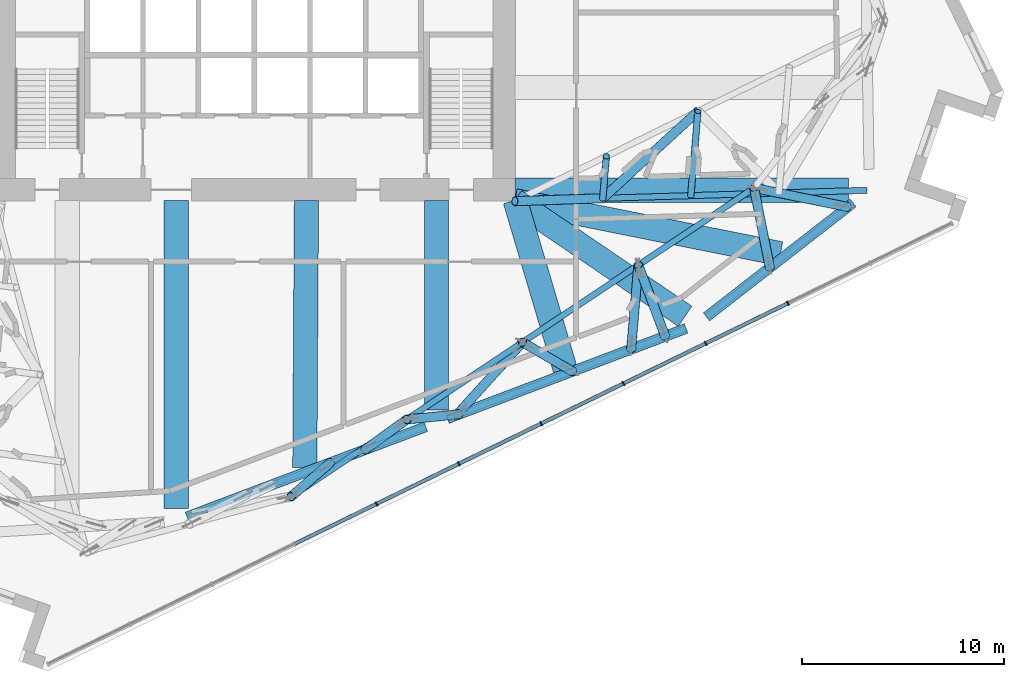
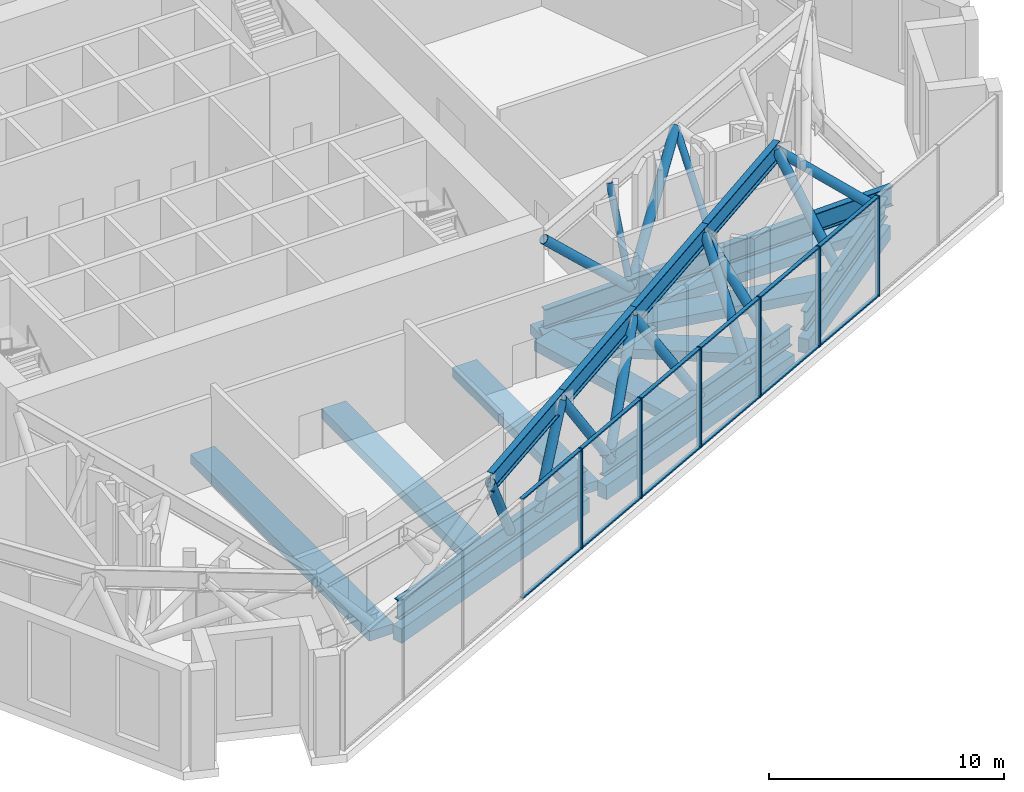
# One storey, part 2 of 21: 31 members, 18 beams, 1 element without a shape of its own.
"""IFC4 building model written with IfcOpenShell, lengths in metres."""

from ifc_helpers import new_model, si_unit, direction, frame, origin, origin_2d, place, context, subcontext, project, spatial, rectangle, hollow_circle, i_section, extrude, material, material_profile, profile_set, type_object, element, aggregate, save


model = new_model("IFC4")

# Units and contexts
model_context = context("Model", 3, precision=1e-05, world=origin(), true_north=direction((0.0, 1.0)))
body_context = subcontext(model_context, "Body", "Model", "MODEL_VIEW")
ifc_project = project(units=[si_unit("LENGTHUNIT", "METRE"), si_unit("AREAUNIT", "SQUARE_METRE"), si_unit("VOLUMEUNIT", "CUBIC_METRE"), si_unit("PLANEANGLEUNIT", "RADIAN"), si_unit("MASSUNIT", "GRAM", prefix="KILO")], contexts=[model_context])

# Site, building, storey
site_placement = place(None, origin())
site = spatial("IfcSite", under=ifc_project, at=site_placement, CompositionType="ELEMENT")
building_placement = place(site_placement, origin())
building = spatial("IfcBuilding", under=site, at=building_placement, Name="Dilmun Exchange Tower", CompositionType="ELEMENT")
storey_placement = place(building_placement, frame((0.0, 0.0, 130.10009765625)))
storey = spatial("IfcBuildingStorey", under=building, at=storey_placement, Name="L30", CompositionType="ELEMENT", Elevation=130.10009765625)

# Beams
ifc_material_1 = material(Name="Concrete C40/50", Category="concrete")
ifc_material_profile_1 = material_profile(ifc_material_1, rectangle(XDim=1.199951171875, YDim=0.5, at=origin_2d()), Name="1200 x 500")
ifc_profile_set_1 = profile_set([ifc_material_profile_1], Name="Concrete C40/50")
beam_type_1 = type_object("IfcBeamType", Name="RC band beam 1200 x 500 C40/50", PredefinedType="BEAM", material=ifc_profile_set_1)
beam_1_placement = place(storey_placement, frame((-3.85302734375, -28.099609375, -0.77001953125), z_axis=(0.0, 1.0, 0.0), x_axis=(-1.0, 0.0, 0.0)))
element("IfcBeam", 1, at=beam_1_placement, inside=storey, type_object=beam_type_1, Name="Band beam 10", PredefinedType="BEAM", context=body_context, shape_type="SweptSolid", body=[
    extrude(rectangle(XDim=1.199951171875, YDim=0.5, at=origin_2d()), origin(), (0.0, 0.0, 1.0), 15.2265625),
])
beam_2_placement = place(storey_placement, frame((9.010009765625, -23.240478515625, -0.77001953125), z_axis=(0.0, 1.0, 0.0), x_axis=(-1.0, 0.0, 0.0)))
element("IfcBeam", 2, at=beam_2_placement, inside=storey, type_object=beam_type_1, Name="Band beam 11", PredefinedType="BEAM", context=body_context, shape_type="SweptSolid", body=[
    extrude(rectangle(XDim=1.199951171875, YDim=0.5, at=origin_2d()), origin(), (0.0, 0.0, 1.0), 10.367431640625),
])
beam_3_placement = place(storey_placement, frame((21.28857421875, -18.59912109375, -0.77001953125), z_axis=(-0.827157308771, 0.561970449888, 0.0), x_axis=(-0.561970449888, -0.827157308771, 0.0)))
element("IfcBeam", 3, at=beam_3_placement, inside=storey, type_object=beam_type_1, Name="Band beam 12", PredefinedType="BEAM", context=body_context, shape_type="SweptSolid", body=[
    extrude(rectangle(XDim=1.199951171875, YDim=0.5, at=origin_2d()), origin(), (0.0, 0.0, 1.0), 10.16845703125),
])
beam_4_placement = place(storey_placement, frame((29.35205078125, -12.37109375, -0.77001953125), z_axis=(-1.0, 0.0, 0.0), x_axis=(0.0, -1.0, 0.0)))
element("IfcBeam", 4, at=beam_4_placement, inside=storey, type_object=beam_type_1, Name="Band beam 13", PredefinedType="BEAM", context=body_context, shape_type="SweptSolid", body=[
    extrude(rectangle(XDim=1.199951171875, YDim=0.5, at=origin_2d()), origin(), (0.0, 0.0, 1.0), 16.47900390625),
])
beam_5_placement = place(storey_placement, frame((2.499755859375, -26.075927734375, -0.670166015625), z_axis=(0.005972637047, 0.999982163644, 0.0), x_axis=(-0.999982163644, 0.005972637047, 0.0)))
element("IfcBeam", 5, at=beam_5_placement, inside=storey, type_object=beam_type_1, Name="Band beam 26", PredefinedType="BEAM", context=body_context, shape_type="SweptSolid", body=[
    extrude(rectangle(XDim=1.199951171875, YDim=0.5, at=origin_2d()), origin(), (0.0, 0.0, 1.0), 13.203125),
])
beam_6_placement = place(storey_placement, frame((15.36279296875, -21.216796875, -0.670166015625), z_axis=(-0.283932601838, 0.958844240538, 0.0), x_axis=(-0.958844240538, -0.283932601838, 0.0)))
element("IfcBeam", 6, at=beam_6_placement, inside=storey, type_object=beam_type_1, Name="Band beam 27", PredefinedType="BEAM", context=body_context, shape_type="SweptSolid", body=[
    extrude(rectangle(XDim=1.199951171875, YDim=0.5, at=origin_2d()), origin(), (0.0, 0.0, 1.0), 8.700927734375),
])
beam_7_placement = place(storey_placement, frame((25.99658203125, -15.50732421875, -0.670166015625), z_axis=(-0.980746640289, 0.19528447855, 0.0), x_axis=(-0.19528447855, -0.980746640289, 0.0)))
element("IfcBeam", 7, at=beam_7_placement, inside=storey, type_object=beam_type_1, Name="Band beam 28", PredefinedType="BEAM", context=body_context, shape_type="SweptSolid", body=[
    extrude(rectangle(XDim=1.199951171875, YDim=0.5, at=origin_2d()), origin(), (0.0, 0.0, 1.0), 13.380615234375),
])
ifc_material_profile_2 = material_profile(ifc_material_1, rectangle(XDim=0.5, YDim=0.75, at=origin_2d()), Name="500 x 750")
ifc_profile_set_2 = profile_set([ifc_material_profile_2], Name="Concrete C40/50")
beam_type_2 = type_object("IfcBeamType", Name="RC ring beam 500 x 750 C40/50", PredefinedType="SPANDREL", material=ifc_profile_set_2)
for number, where, z_axis, x_axis, name in (
    (8, (-3.31689453125, -28.511474609375, -0.795166015625), (0.935485896268, 0.353364030264, 0.0), (-0.353364030264, 0.935485896268, 0.0), "Ring beam 10"),
    (9, (9.5458984375, -23.652587890625, -0.795166015625), (0.935479493126, 0.353380981294, 0.0), (-0.353380981294, 0.935479493126, 0.0), "Ring beam 11"),
):
    element("IfcBeam", number, at=place(storey_placement, frame(where, z_axis=z_axis, x_axis=x_axis)), inside=storey, type_object=beam_type_2, Name=name, PredefinedType="SPANDREL", context=body_context, shape_type="SweptSolid", body=[
        extrude(rectangle(XDim=0.5, YDim=0.75, at=origin_2d()), origin(), (0.0, 0.0, 1.0), 12.604248046875),
    ])
beam_8_placement = place(storey_placement, frame((22.347412109375, -18.627197265625, -0.795166015625), z_axis=(0.789461122688, 0.613800566767, 0.0), x_axis=(-0.613800566767, 0.789461122688, 0.0)))
element("IfcBeam", 10, at=beam_8_placement, inside=storey, type_object=beam_type_2, Name="Ring beam 12", PredefinedType="SPANDREL", context=body_context, shape_type="SweptSolid", body=[
    extrude(rectangle(XDim=0.5, YDim=0.75, at=origin_2d()), origin(), (0.0, 0.0, 1.0), 9.1728515625),
])

# Curtain wall, members
ifc_material_2 = material(Name="Anodised aluminium and clear glass", Category="aluminium")
curtain_wall_type = type_object("IfcCurtainWallType", Name="Sky lobby glazing", PredefinedType="NOTDEFINED", material=ifc_material_2)
curtain_wall_placement = place(storey_placement, origin())
curtain_wall = element("IfcCurtainWall", 11, at=curtain_wall_placement, inside=storey, type_object=curtain_wall_type, Name="Sky lobby glazing run SL16", PredefinedType="NOTDEFINED")
ifc_material_3 = material(Name="Anodised aluminium", Category="aluminium")
ifc_material_profile_3 = material_profile(ifc_material_3, rectangle(XDim=0.219970703125, YDim=0.070068359375, at=origin_2d()), Name="AL 70x220")
ifc_profile_set_3 = profile_set([ifc_material_profile_3], Name="Anodised aluminium")
member_type_1 = type_object("IfcMemberType", Name="Sky lobby glazing mullion 70 x 220", PredefinedType="MULLION", material=ifc_profile_set_3)
member_1_placement = place(storey_placement, frame((6.045166015625, -27.87060546875, 0.0), z_axis=(0.0, 0.0, 1.0), x_axis=(-0.43837119956, 0.898794020561, 0.0)))
member_1 = element("IfcMember", 12, at=member_1_placement, type_object=member_type_1, Name="SL16 mullion 5", PredefinedType="MULLION", context=body_context, shape_type="SweptSolid", body=[
    extrude(rectangle(XDim=0.219970703125, YDim=0.070068359375, at=origin_2d()), origin(), (0.0, 0.0, 1.0), 5.199951171875),
])
member_2_placement = place(storey_placement, frame((10.1103515625, -25.887939453125, 0.0), z_axis=(0.0, 0.0, 1.0), x_axis=(-0.43837119956, 0.898794020561, 0.0)))
member_2 = element("IfcMember", 13, at=member_2_placement, type_object=member_type_1, Name="SL16 mullion 6", PredefinedType="MULLION", context=body_context, shape_type="SweptSolid", body=[
    extrude(rectangle(XDim=0.219970703125, YDim=0.070068359375, at=origin_2d()), origin(), (0.0, 0.0, 1.0), 5.199951171875),
])
member_3_placement = place(storey_placement, frame((14.17529296875, -23.9052734375, 0.0), z_axis=(0.0, 0.0, 1.0), x_axis=(-0.43837119956, 0.898794020561, 0.0)))
member_3 = element("IfcMember", 14, at=member_3_placement, type_object=member_type_1, Name="SL16 mullion 7", PredefinedType="MULLION", context=body_context, shape_type="SweptSolid", body=[
    extrude(rectangle(XDim=0.219970703125, YDim=0.070068359375, at=origin_2d()), origin(), (0.0, 0.0, 1.0), 5.199951171875),
])
member_4_placement = place(storey_placement, frame((18.240478515625, -21.922607421875, 0.0), z_axis=(0.0, 0.0, 1.0), x_axis=(-0.43837119956, 0.898794020561, 0.0)))
member_4 = element("IfcMember", 15, at=member_4_placement, type_object=member_type_1, Name="SL16 mullion 8", PredefinedType="MULLION", context=body_context, shape_type="SweptSolid", body=[
    extrude(rectangle(XDim=0.219970703125, YDim=0.070068359375, at=origin_2d()), origin(), (0.0, 0.0, 1.0), 5.199951171875),
])
member_5_placement = place(storey_placement, frame((22.3056640625, -19.93994140625, 0.0), z_axis=(0.0, 0.0, 1.0), x_axis=(-0.43837119956, 0.898794020561, 0.0)))
member_5 = element("IfcMember", 16, at=member_5_placement, type_object=member_type_1, Name="SL16 mullion 9", PredefinedType="MULLION", context=body_context, shape_type="SweptSolid", body=[
    extrude(rectangle(XDim=0.219970703125, YDim=0.070068359375, at=origin_2d()), origin(), (0.0, 0.0, 1.0), 5.199951171875),
])
member_6_placement = place(storey_placement, frame((26.370849609375, -17.957275390625, 0.0), z_axis=(0.0, 0.0, 1.0), x_axis=(-0.43837119956, 0.898794020561, 0.0)))
member_6 = element("IfcMember", 17, at=member_6_placement, type_object=member_type_1, Name="SL16 mullion 10", PredefinedType="MULLION", context=body_context, shape_type="SweptSolid", body=[
    extrude(rectangle(XDim=0.219970703125, YDim=0.070068359375, at=origin_2d()), origin(), (0.0, 0.0, 1.0), 5.199951171875),
])
ifc_material_profile_4 = material_profile(ifc_material_3, rectangle(XDim=0.179931640625, YDim=0.070068359375, at=origin_2d()), Name="AL 70x180")
ifc_profile_set_4 = profile_set([ifc_material_profile_4], Name="Anodised aluminium")
member_type_2 = type_object("IfcMemberType", Name="Sky lobby glazing transom 70 x 180", PredefinedType="USERDEFINED", material=ifc_profile_set_4)
member_7_placement = place(storey_placement, frame((2.011474609375, -29.837890625, 0.034912109375), z_axis=(0.898802694212, 0.438353415496, 0.0), x_axis=(-0.438353415496, 0.898802694212, 0.0)))
member_7 = element("IfcMember", 18, at=member_7_placement, type_object=member_type_2, Name="SL16 transom 4.1", ObjectType="TRANSOM", PredefinedType="USERDEFINED", context=body_context, shape_type="SweptSolid", body=[
    extrude(rectangle(XDim=0.179931640625, YDim=0.070068359375, at=origin_2d()), origin(), (0.0, 0.0, 1.0), 4.452880859375),
])
member_8_placement = place(storey_placement, frame((2.011474609375, -29.837890625, 5.164794921875), z_axis=(0.898802694212, 0.438353415496, 0.0), x_axis=(-0.438353415496, 0.898802694212, 0.0)))
member_8 = element("IfcMember", 19, at=member_8_placement, type_object=member_type_2, Name="SL16 transom 4.2", ObjectType="TRANSOM", PredefinedType="USERDEFINED", context=body_context, shape_type="SweptSolid", body=[
    extrude(rectangle(XDim=0.179931640625, YDim=0.070068359375, at=origin_2d()), origin(), (0.0, 0.0, 1.0), 4.452880859375),
])
member_9_placement = place(storey_placement, frame((6.07666015625, -27.855224609375, 0.034912109375), z_axis=(0.898802694212, 0.438353415496, 0.0), x_axis=(-0.438353415496, 0.898802694212, 0.0)))
member_9 = element("IfcMember", 20, at=member_9_placement, type_object=member_type_2, Name="SL16 transom 5.1", ObjectType="TRANSOM", PredefinedType="USERDEFINED", context=body_context, shape_type="SweptSolid", body=[
    extrude(rectangle(XDim=0.179931640625, YDim=0.070068359375, at=origin_2d()), origin(), (0.0, 0.0, 1.0), 4.452880859375),
])
member_10_placement = place(storey_placement, frame((6.07666015625, -27.855224609375, 5.164794921875), z_axis=(0.898802694212, 0.438353415496, 0.0), x_axis=(-0.438353415496, 0.898802694212, 0.0)))
member_10 = element("IfcMember", 21, at=member_10_placement, type_object=member_type_2, Name="SL16 transom 5.2", ObjectType="TRANSOM", PredefinedType="USERDEFINED", context=body_context, shape_type="SweptSolid", body=[
    extrude(rectangle(XDim=0.179931640625, YDim=0.070068359375, at=origin_2d()), origin(), (0.0, 0.0, 1.0), 4.452880859375),
])
member_11_placement = place(storey_placement, frame((10.141845703125, -25.87255859375, 0.034912109375), z_axis=(0.898802694212, 0.438353415496, 0.0), x_axis=(-0.438353415496, 0.898802694212, 0.0)))
member_11 = element("IfcMember", 22, at=member_11_placement, type_object=member_type_2, Name="SL16 transom 6.1", ObjectType="TRANSOM", PredefinedType="USERDEFINED", context=body_context, shape_type="SweptSolid", body=[
    extrude(rectangle(XDim=0.179931640625, YDim=0.070068359375, at=origin_2d()), origin(), (0.0, 0.0, 1.0), 4.452880859375),
])
member_12_placement = place(storey_placement, frame((10.141845703125, -25.87255859375, 5.164794921875), z_axis=(0.898802694212, 0.438353415496, 0.0), x_axis=(-0.438353415496, 0.898802694212, 0.0)))
member_12 = element("IfcMember", 23, at=member_12_placement, type_object=member_type_2, Name="SL16 transom 6.2", ObjectType="TRANSOM", PredefinedType="USERDEFINED", context=body_context, shape_type="SweptSolid", body=[
    extrude(rectangle(XDim=0.179931640625, YDim=0.070068359375, at=origin_2d()), origin(), (0.0, 0.0, 1.0), 4.452880859375),
])
member_13_placement = place(storey_placement, frame((14.206787109375, -23.889892578125, 0.034912109375), z_axis=(0.898802694212, 0.438353415496, 0.0), x_axis=(-0.438353415496, 0.898802694212, 0.0)))
member_13 = element("IfcMember", 24, at=member_13_placement, type_object=member_type_2, Name="SL16 transom 7.1", ObjectType="TRANSOM", PredefinedType="USERDEFINED", context=body_context, shape_type="SweptSolid", body=[
    extrude(rectangle(XDim=0.179931640625, YDim=0.070068359375, at=origin_2d()), origin(), (0.0, 0.0, 1.0), 4.452880859375),
])
member_14_placement = place(storey_placement, frame((14.206787109375, -23.889892578125, 5.164794921875), z_axis=(0.898802694212, 0.438353415496, 0.0), x_axis=(-0.438353415496, 0.898802694212, 0.0)))
member_14 = element("IfcMember", 25, at=member_14_placement, type_object=member_type_2, Name="SL16 transom 7.2", ObjectType="TRANSOM", PredefinedType="USERDEFINED", context=body_context, shape_type="SweptSolid", body=[
    extrude(rectangle(XDim=0.179931640625, YDim=0.070068359375, at=origin_2d()), origin(), (0.0, 0.0, 1.0), 4.452880859375),
])
member_15_placement = place(storey_placement, frame((18.27197265625, -21.9072265625, 0.034912109375), z_axis=(0.898802694212, 0.438353415496, 0.0), x_axis=(-0.438353415496, 0.898802694212, 0.0)))
member_15 = element("IfcMember", 26, at=member_15_placement, type_object=member_type_2, Name="SL16 transom 8.1", ObjectType="TRANSOM", PredefinedType="USERDEFINED", context=body_context, shape_type="SweptSolid", body=[
    extrude(rectangle(XDim=0.179931640625, YDim=0.070068359375, at=origin_2d()), origin(), (0.0, 0.0, 1.0), 4.452880859375),
])
member_16_placement = place(storey_placement, frame((18.27197265625, -21.9072265625, 5.164794921875), z_axis=(0.898802694212, 0.438353415496, 0.0), x_axis=(-0.438353415496, 0.898802694212, 0.0)))
member_16 = element("IfcMember", 27, at=member_16_placement, type_object=member_type_2, Name="SL16 transom 8.2", ObjectType="TRANSOM", PredefinedType="USERDEFINED", context=body_context, shape_type="SweptSolid", body=[
    extrude(rectangle(XDim=0.179931640625, YDim=0.070068359375, at=origin_2d()), origin(), (0.0, 0.0, 1.0), 4.452880859375),
])
member_17_placement = place(storey_placement, frame((22.337158203125, -19.924560546875, 0.034912109375), z_axis=(0.898781091604, 0.438397706854, 0.0), x_axis=(-0.438397706854, 0.898781091604, 0.0)))
member_17 = element("IfcMember", 28, at=member_17_placement, type_object=member_type_2, Name="SL16 transom 9.1", ObjectType="TRANSOM", PredefinedType="USERDEFINED", context=body_context, shape_type="SweptSolid", body=[
    extrude(rectangle(XDim=0.179931640625, YDim=0.070068359375, at=origin_2d()), origin(), (0.0, 0.0, 1.0), 4.452880859375),
])
member_18_placement = place(storey_placement, frame((22.337158203125, -19.924560546875, 5.164794921875), z_axis=(0.898781091604, 0.438397706854, 0.0), x_axis=(-0.438397706854, 0.898781091604, 0.0)))
member_18 = element("IfcMember", 29, at=member_18_placement, type_object=member_type_2, Name="SL16 transom 9.2", ObjectType="TRANSOM", PredefinedType="USERDEFINED", context=body_context, shape_type="SweptSolid", body=[
    extrude(rectangle(XDim=0.179931640625, YDim=0.070068359375, at=origin_2d()), origin(), (0.0, 0.0, 1.0), 4.452880859375),
])
aggregate(curtain_wall, [member_1, member_2, member_3, member_4, member_5, member_6, member_7, member_8, member_9, member_10, member_11, member_12, member_13, member_14, member_15, member_16, member_17, member_18])

# Beams
ifc_material_4 = material(Name="Steel S355", Category="steel")
ifc_material_profile_5 = material_profile(ifc_material_4, i_section(OverallWidth=0.300048828125, OverallDepth=1.0, WebThickness=0.01904296875, FlangeThickness=0.035888671875, FilletRadius=0.030029296875, at=origin_2d()), Name="HEB 1000")
ifc_profile_set_5 = profile_set([ifc_material_profile_5], Name="Steel S355")
beam_type_3 = type_object("IfcBeamType", Name="belt bottom chord HEB 1000", PredefinedType="BEAM", material=ifc_profile_set_5)
for number, where, z_axis, x_axis, name in (
    (30, (-3.31689453125, -28.511474609375, 0.5), (0.935485896268, 0.353364030264, 0.0), (-0.353364030264, 0.935485896268, 0.0), "Belt bottom chord 10"),
    (31, (9.5458984375, -23.652587890625, 0.5), (0.935479493126, 0.353380981294, 0.0), (-0.353380981294, 0.935479493126, 0.0), "Belt bottom chord 11"),
):
    element("IfcBeam", number, at=place(storey_placement, frame(where, z_axis=z_axis, x_axis=x_axis)), inside=storey, type_object=beam_type_3, Name=name, PredefinedType="BEAM", context=body_context, shape_type="SweptSolid", body=[
        extrude(i_section(OverallWidth=0.300048828125, OverallDepth=1.0, WebThickness=0.01904296875, FlangeThickness=0.035888671875, FilletRadius=0.030029296875, at=origin_2d()), origin(), (0.0, 0.0, 1.0), 12.604248046875),
    ])
beam_9_placement = place(storey_placement, frame((22.347412109375, -18.627197265625, 0.5), z_axis=(0.789461122688, 0.613800566767, 0.0), x_axis=(-0.613800566767, 0.789461122688, 0.0)))
element("IfcBeam", 32, at=beam_9_placement, inside=storey, type_object=beam_type_3, Name="Belt bottom chord 12", PredefinedType="BEAM", context=body_context, shape_type="SweptSolid", body=[
    extrude(i_section(OverallWidth=0.300048828125, OverallDepth=1.0, WebThickness=0.01904296875, FlangeThickness=0.035888671875, FilletRadius=0.030029296875, at=origin_2d()), origin(), (0.0, 0.0, 1.0), 9.1728515625),
])
ifc_material_profile_6 = material_profile(ifc_material_4, i_section(OverallWidth=0.300048828125, OverallDepth=1.0, WebThickness=0.01904296875, FlangeThickness=0.035888671875, FilletRadius=0.030029296875, at=origin_2d()), Name="HEB 1000")
ifc_profile_set_6 = profile_set([ifc_material_profile_6], Name="Steel S355")
beam_type_4 = type_object("IfcBeamType", Name="outrigger chord HEB 1000", PredefinedType="BEAM", material=ifc_profile_set_6)
beam_10_placement = place(storey_placement, frame((12.873046875, -12.90087890625, 0.5), z_axis=(0.999543068818, 0.030226703058, 0.0), x_axis=(-0.030226703058, 0.999543068818, 0.0)))
element("IfcBeam", 33, at=beam_10_placement, inside=storey, type_object=beam_type_4, Name="Outrigger bottom chord 4", PredefinedType="BEAM", context=body_context, shape_type="SweptSolid", body=[
    extrude(i_section(OverallWidth=0.300048828125, OverallDepth=1.0, WebThickness=0.01904296875, FlangeThickness=0.035888671875, FilletRadius=0.030029296875, at=origin_2d()), origin(), (0.0, 0.0, 1.0), 17.406005859375),
])

# Members
ifc_material_profile_7 = material_profile(ifc_material_4, hollow_circle(Radius=0.161865234375, WallThickness=0.01611328125, at=origin_2d()), Name="CHS 323.9x16")
ifc_profile_set_7 = profile_set([ifc_material_profile_7], Name="Steel S355")
member_type_3 = type_object("IfcMemberType", Name="outrigger post CHS 323.9x16", PredefinedType="POST", material=ifc_profile_set_7)
member_19_placement = place(storey_placement, frame((17.398681640625, -10.693115234375, 4.599853515625), z_axis=(-0.03832819552, -0.451444563301, -0.891475605776), x_axis=(0.996415259265, -0.084596874082, 0.0)))
element("IfcMember", 34, at=member_19_placement, inside=storey, type_object=member_type_3, Name="Outrigger post 4.1", PredefinedType="POST", context=body_context, shape_type="SweptSolid", body=[
    extrude(hollow_circle(Radius=0.161865234375, WallThickness=0.01611328125, at=origin_2d()), origin(), (0.0, 0.0, 1.0), 4.598876953125),
])
member_20_placement = place(storey_placement, frame((21.921630859375, -8.474365234375, 4.599853515625), z_axis=(-0.059725784946, -0.711245677854, -0.700401610754), x_axis=(0.99649276384, -0.083678979524, 0.0)))
element("IfcMember", 35, at=member_20_placement, inside=storey, type_object=member_type_3, Name="Outrigger post 4.2", PredefinedType="POST", context=body_context, shape_type="SweptSolid", body=[
    extrude(hollow_circle(Radius=0.161865234375, WallThickness=0.01611328125, at=origin_2d()), origin(), (0.0, 0.0, 1.0), 5.853515625),
])

# Beams
ifc_material_profile_8 = material_profile(ifc_material_4, i_section(OverallWidth=0.302001953125, OverallDepth=1.008056640625, WebThickness=0.02099609375, FlangeThickness=0.0400390625, FilletRadius=0.030029296875, at=origin_2d()), Name="HEM 1000")
ifc_profile_set_8 = profile_set([ifc_material_profile_8], Name="Steel S355")
beam_type_5 = type_object("IfcBeamType", Name="transfer chord HEM 1000", PredefinedType="BEAM", material=ifc_profile_set_8)
for number, where, z_axis, x_axis, name in (
    (36, (1.818115234375, -27.512939453125, 4.69580078125), (0.832006584891, 0.554765754799, 0.0), (-0.554765754799, 0.832006584891, 0.0), "Transfer chord 19"),
    (37, (7.5380859375, -23.698974609375, 4.69580078125), (0.832006584891, 0.554765754799, 0.0), (-0.554765754799, 0.832006584891, 0.0), "Transfer chord 20"),
    (38, (13.258056640625, -19.885009765625, 4.69580078125), (0.832061220677, 0.554683806367, 0.0), (-0.554683806367, 0.832061220677, 0.0), "Transfer chord 21"),
    (39, (18.978515625, -16.071533203125, 4.69580078125), (0.832061220677, 0.554683806367, 0.0), (-0.554683806367, 0.832061220677, 0.0), "Transfer chord 22"),
):
    element("IfcBeam", number, at=place(storey_placement, frame(where, z_axis=z_axis, x_axis=x_axis)), inside=storey, type_object=beam_type_5, Name=name, PredefinedType="BEAM", context=body_context, shape_type="SweptSolid", body=[
        extrude(i_section(OverallWidth=0.302001953125, OverallDepth=1.008056640625, WebThickness=0.02099609375, FlangeThickness=0.0400390625, FilletRadius=0.030029296875, at=origin_2d()), origin(), (0.0, 0.0, 1.0), 6.875),
    ])

# Members
ifc_material_profile_9 = material_profile(ifc_material_4, hollow_circle(Radius=0.228515625, WallThickness=0.02490234375, at=origin_2d()), Name="CHS 457x25")
ifc_profile_set_9 = profile_set([ifc_material_profile_9], Name="Steel S355")
member_type_4 = type_object("IfcMemberType", Name="truss diagonal CHS 457x25", PredefinedType="BRACE", material=ifc_profile_set_9)
member_21_placement = place(storey_placement, frame((1.818115234375, -27.512939453125, 4.69580078125), z_axis=(0.393606281801, 0.340237622963, -0.853997924381), x_axis=(-0.653955503164, 0.756533013081, 0.0)))
element("IfcMember", 40, at=member_21_placement, inside=storey, type_object=member_type_4, Name="Truss diagonal 38", PredefinedType="BRACE", context=body_context, shape_type="SweptSolid", body=[
    extrude(hollow_circle(Radius=0.228515625, WallThickness=0.02490234375, at=origin_2d()), origin(), (0.0, 0.0, 1.0), 4.9130859375),
])
member_22_placement = place(storey_placement, frame((7.5380859375, -23.698974609375, 4.69580078125), z_axis=(0.522180427183, 0.052797527779, -0.851199167368), x_axis=(-0.100596838818, 0.994927271724, 0.0)))
element("IfcMember", 41, at=member_22_placement, inside=storey, type_object=member_type_4, Name="Truss diagonal 39", PredefinedType="BRACE", context=body_context, shape_type="SweptSolid", body=[
    extrude(hollow_circle(Radius=0.228515625, WallThickness=0.02490234375, at=origin_2d()), origin(), (0.0, 0.0, 1.0), 4.92919921875),
])
member_23_placement = place(storey_placement, frame((7.5380859375, -23.698974609375, 4.69580078125), z_axis=(-0.419358772739, -0.303616946218, -0.855543669076), x_axis=(0.586438032501, -0.809994095063, 0.0)))
element("IfcMember", 42, at=member_23_placement, inside=storey, type_object=member_type_4, Name="Truss diagonal 40", PredefinedType="BRACE", context=body_context, shape_type="SweptSolid", body=[
    extrude(hollow_circle(Radius=0.228515625, WallThickness=0.02490234375, at=origin_2d()), origin(), (0.0, 0.0, 1.0), 4.904296875),
])
member_24_placement = place(storey_placement, frame((13.258056640625, -19.885009765625, 4.69580078125), z_axis=(-0.51372529757, -0.56622702184, -0.644572166926), x_axis=(0.740608012585, -0.671937327208, 0.0)))
element("IfcMember", 43, at=member_24_placement, inside=storey, type_object=member_type_4, Name="Truss diagonal 41", PredefinedType="BRACE", context=body_context, shape_type="SweptSolid", body=[
    extrude(hollow_circle(Radius=0.228515625, WallThickness=0.02490234375, at=origin_2d()), origin(), (0.0, 0.0, 1.0), 6.291748046875),
])
member_25_placement = place(storey_placement, frame((13.258056640625, -19.885009765625, 4.69580078125), z_axis=(0.486014827461, -0.282610404127, -0.826995131163), x_axis=(0.502678474363, 0.864473453272, 0.0)))
element("IfcMember", 44, at=member_25_placement, inside=storey, type_object=member_type_4, Name="Truss diagonal 42", PredefinedType="BRACE", context=body_context, shape_type="SweptSolid", body=[
    extrude(hollow_circle(Radius=0.228515625, WallThickness=0.02490234375, at=origin_2d()), origin(), (0.0, 0.0, 1.0), 5.073486328125),
])
member_26_placement = place(storey_placement, frame((18.978515625, -16.071533203125, 4.69580078125), z_axis=(0.235771981887, -0.62418898587, -0.744848764835), x_axis=(0.935488317507, 0.353357620278, 0.0)))
element("IfcMember", 45, at=member_26_placement, inside=storey, type_object=member_type_4, Name="Truss diagonal 43", PredefinedType="BRACE", context=body_context, shape_type="SweptSolid", body=[
    extrude(hollow_circle(Radius=0.228515625, WallThickness=0.02490234375, at=origin_2d()), origin(), (0.0, 0.0, 1.0), 5.633056640625),
])
member_27_placement = place(storey_placement, frame((18.978515625, -16.071533203125, 4.69580078125), z_axis=(-0.060151199573, -0.702121792131, -0.709511678695), x_axis=(0.996350351191, -0.085357938595, 0.0)))
element("IfcMember", 46, at=member_27_placement, inside=storey, type_object=member_type_4, Name="Truss diagonal 44", PredefinedType="BRACE", context=body_context, shape_type="SweptSolid", body=[
    extrude(hollow_circle(Radius=0.228515625, WallThickness=0.02490234375, at=origin_2d()), origin(), (0.0, 0.0, 1.0), 5.91357421875),
])
member_28_placement = place(storey_placement, frame((24.698974609375, -12.258056640625, 4.69580078125), z_axis=(0.732661543735, -0.149036209809, -0.664074747673), x_axis=(0.199335227527, 0.979931358344, 0.0)))
element("IfcMember", 47, at=member_28_placement, inside=storey, type_object=member_type_4, Name="Truss diagonal 45", PredefinedType="BRACE", context=body_context, shape_type="SweptSolid", body=[
    extrude(hollow_circle(Radius=0.228515625, WallThickness=0.02490234375, at=origin_2d()), origin(), (0.0, 0.0, 1.0), 6.318359375),
])
member_29_placement = place(storey_placement, frame((24.698974609375, -12.258056640625, 4.69580078125), z_axis=(0.13425220026, -0.677864258019, -0.722825286239), x_axis=(0.980946479259, 0.194278163541, 0.0)))
element("IfcMember", 48, at=member_29_placement, inside=storey, type_object=member_type_4, Name="Truss diagonal 46", PredefinedType="BRACE", context=body_context, shape_type="SweptSolid", body=[
    extrude(hollow_circle(Radius=0.228515625, WallThickness=0.02490234375, at=origin_2d()), origin(), (0.0, 0.0, 1.0), 5.8046875),
])
member_30_placement = place(storey_placement, frame((12.875732421875, -12.911865234375, 4.599853515625), z_axis=(0.727252437155, 0.023855056352, -0.68595541323), x_axis=(-0.032783985455, 0.999462460675, 0.0)))
element("IfcMember", 49, at=member_30_placement, inside=storey, type_object=member_type_4, Name="Outrigger diagonal 4.0", PredefinedType="BRACE", context=body_context, shape_type="SweptSolid", body=[
    extrude(hollow_circle(Radius=0.228515625, WallThickness=0.02490234375, at=origin_2d()), origin(), (0.0, 0.0, 1.0), 5.976806640625),
])
member_31_placement = place(storey_placement, frame((21.921630859375, -8.474365234375, 4.599853515625), z_axis=(-0.620590485351, -0.56719803711, -0.54143682567), x_axis=(0.674640278426, -0.73814666207, 0.0)))
element("IfcMember", 50, at=member_31_placement, inside=storey, type_object=member_type_4, Name="Outrigger diagonal 4.1", PredefinedType="BRACE", context=body_context, shape_type="SweptSolid", body=[
    extrude(hollow_circle(Radius=0.228515625, WallThickness=0.02490234375, at=origin_2d()), origin(), (0.0, 0.0, 1.0), 7.572265625),
])

save(model, "model.ifc")
